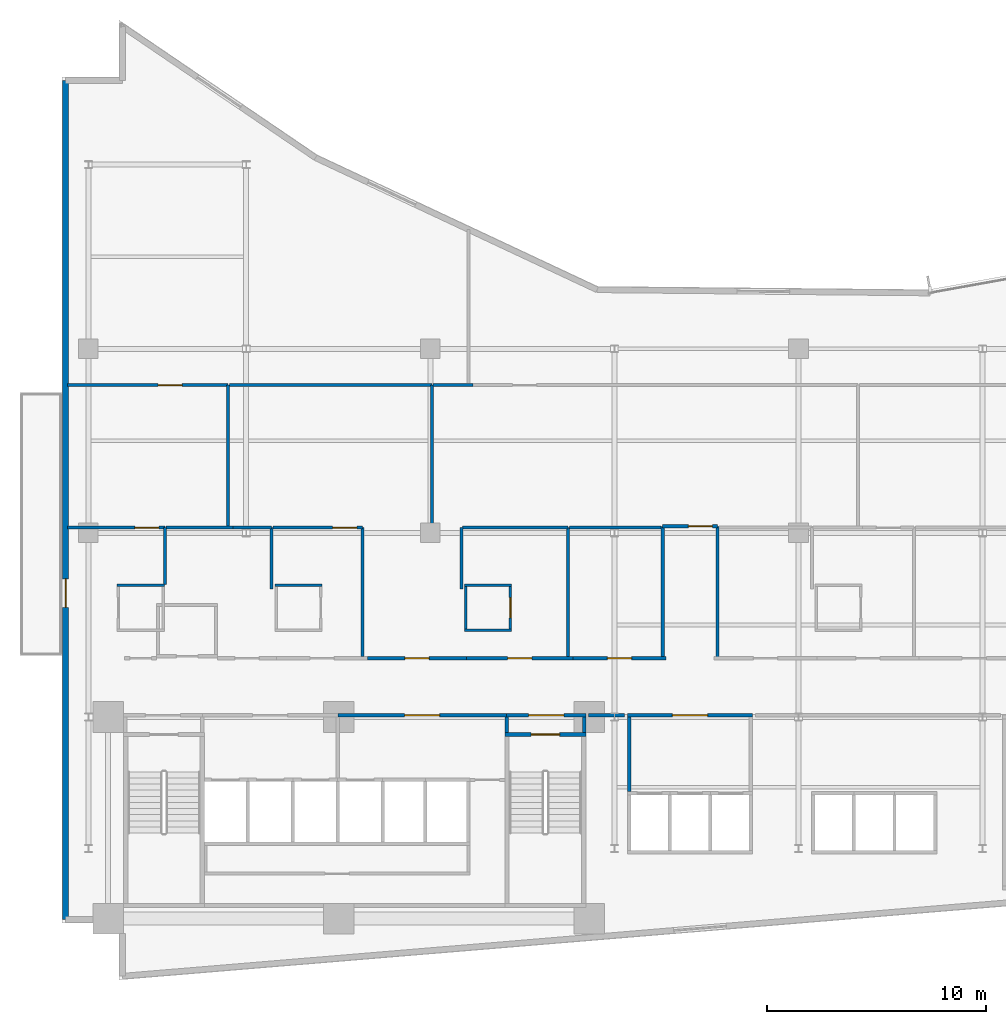
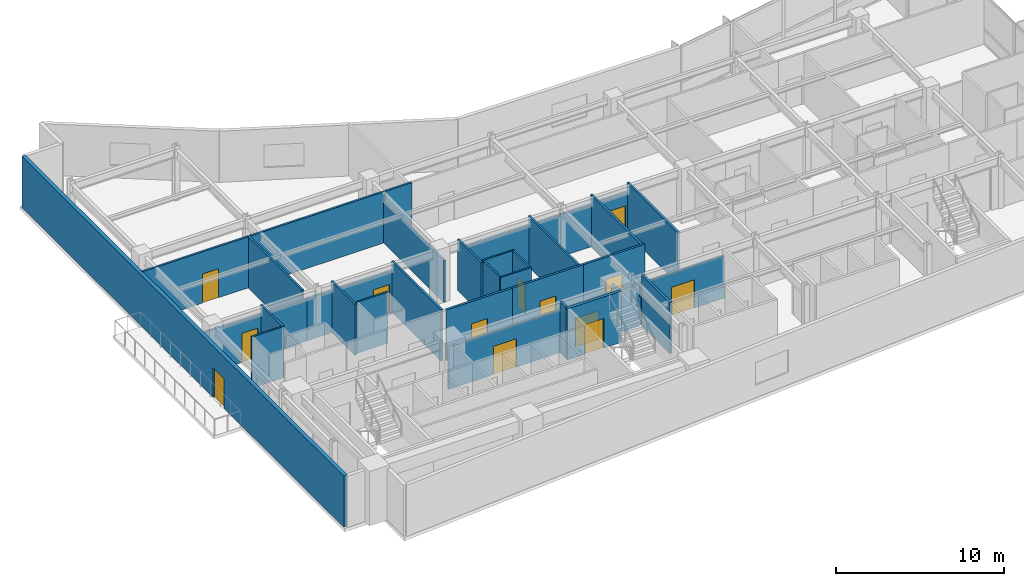
# One storey, part 13 of 20: 37 walls, 13 doors, 13 openings.
"""IFC4 building model written with IfcOpenShell, lengths in metres."""

from ifc_helpers import new_model, si_unit, direction, frame, frame_2d, origin, place, context, subcontext, project, spatial, rectangle, extrude, material, layer, layer_set, type_object, element, fill, save


model = new_model("IFC4")

# Units and contexts
model_context = context("Model", 3, precision=1e-05, world=origin(), true_north=direction((0.0, 1.0)))
body_context = subcontext(model_context, "Body", "Model", "MODEL_VIEW")
ifc_project = project(units=[si_unit("LENGTHUNIT", "METRE"), si_unit("AREAUNIT", "SQUARE_METRE"), si_unit("VOLUMEUNIT", "CUBIC_METRE"), si_unit("PLANEANGLEUNIT", "RADIAN"), si_unit("MASSUNIT", "GRAM", prefix="KILO")], contexts=[model_context])

# Site, building, storey
site_placement = place(None, origin())
site = spatial("IfcSite", under=ifc_project, at=site_placement, CompositionType="ELEMENT")
building_placement = place(site_placement, origin())
building = spatial("IfcBuilding", under=site, at=building_placement, Name="Varnakote Quay Hospital", CompositionType="ELEMENT")
storey_placement = place(building_placement, frame((0.0, 0.0, 26.449951171875)))
storey = spatial("IfcBuildingStorey", under=building, at=storey_placement, Name="L06", CompositionType="ELEMENT", Elevation=26.449951171875)

# Wall, opening, door
ifc_material_1 = material(Name="Fire-rated acoustic gypsum stud wall", Category="gypsum")
ifc_layer_1 = layer(ifc_material_1, 0.159912109375)
ifc_layer_set_1 = layer_set([ifc_layer_1], Name="Fire-rated acoustic gypsum stud wall")
wall_type_1 = type_object("IfcWallType", Name="WL-COMP-160", PredefinedType="PARTITIONING", material=ifc_layer_set_1)
wall_1_placement = place(storey_placement, frame((12.580078125, 12.080078125, 0.0), z_axis=(0.0, 0.0, 1.0), x_axis=(1.0, 0.0, 0.0)))
wall_1 = element("IfcWall", 1, at=wall_1_placement, inside=storey, type_object=wall_type_1, Name="L06 Clinical Bed Lift Lobby Wall", PredefinedType="PARTITIONING", context=body_context, shape_type="SweptSolid", body=[
    extrude(rectangle(XDim=7.699951171875, YDim=0.159912109375, at=frame_2d((3.85009765625, 0.0))), origin(), (0.0, 0.0, 1.0), 3.072998046875),
])
opening_1_placement = place(wall_1_placement, frame((3.050048828125, 0.0, 0.0)))
opening_1 = element("IfcOpeningElement", 2, at=opening_1_placement, cuts=wall_1, Name="Opening D-SVL-L06", PredefinedType="OPENING", context=body_context, shape_type="SweptSolid", body=[
    extrude(rectangle(XDim=1.60009765625, YDim=2.050048828125, at=frame_2d((0.800048828125, 1.02490234375))), frame((0.0, 0.08984375, 0.0), z_axis=(0.0, -1.0, 0.0), x_axis=(1.0, 0.0, 0.0)), (0.0, 0.0, 1.0), 0.179931640625),
])
ifc_material_2 = material(Name="Fire-rated double smoke lobby door")
door_type_1 = type_object("IfcDoorType", Name="DR-LOBBY-FD60S-1600x2150", OperationType="NOTDEFINED", PredefinedType="DOOR", material=ifc_material_2)
door_1_placement = place(opening_1_placement, origin())
door_1 = element("IfcDoor", 3, at=door_1_placement, inside=storey, type_object=door_type_1, Name="L06 Clinical Core Smoke Vestibule Door", OperationType="DOUBLE_DOOR_SINGLE_SWING", OverallHeight=2.050048828125, OverallWidth=1.60009765625, PredefinedType="DOOR", context=body_context, shape_type="SweptSolid", body=[
    extrude(rectangle(XDim=1.60009765625, YDim=2.050048828125, at=frame_2d((0.800048828125, 1.02490234375))), frame((0.0, 0.02490234375, 0.0), z_axis=(0.0, -1.0, 0.0), x_axis=(1.0, 0.0, 0.0)), (0.0, 0.0, 1.0), 0.050048828125),
])
fill(opening_1, door_1)

# Wall
wall_2_placement = place(storey_placement, frame((20.280029296875, 11.300048828125, 0.0), z_axis=(0.0, 0.0, 1.0), x_axis=(0.0, 1.0, 0.0)))
element("IfcWall", 4, at=wall_2_placement, inside=storey, type_object=wall_type_1, Name="L06 East Stair Vestibule Divider Wall", PredefinedType="PARTITIONING", context=body_context, shape_type="SweptSolid", body=[
    extrude(rectangle(XDim=0.699951171875, YDim=0.159912109375, at=frame_2d((0.35009765625, 0.0))), origin(), (0.0, 0.0, 1.0), 3.7099609375),
])

# Wall, opening, door
wall_3_placement = place(storey_placement, frame((20.280029296875, 12.080078125, 0.0), z_axis=(0.0, 0.0, 1.0), x_axis=(1.0, 0.0, 0.0)))
wall_3 = element("IfcWall", 5, at=wall_3_placement, inside=storey, type_object=wall_type_1, Name="L06 East Stair Vestibule Smoke Wall", PredefinedType="PARTITIONING", context=body_context, shape_type="SweptSolid", body=[
    extrude(rectangle(XDim=3.619873046875, YDim=0.159912109375, at=frame_2d((1.81005859375, 0.0))), origin(), (0.0, 0.0, 1.0), 3.072998046875),
])
opening_2_placement = place(wall_3_placement, frame((1.010009765625, 0.0, 0.0)))
opening_2 = element("IfcOpeningElement", 6, at=opening_2_placement, cuts=wall_3, Name="Opening D-ST2L-L06", PredefinedType="OPENING", context=body_context, shape_type="SweptSolid", body=[
    extrude(rectangle(XDim=1.60009765625, YDim=2.050048828125, at=frame_2d((0.800048828125, 1.02490234375))), frame((0.0, 0.08984375, 0.0), z_axis=(0.0, -1.0, 0.0), x_axis=(1.0, 0.0, 0.0)), (0.0, 0.0, 1.0), 0.179931640625),
])
door_2_placement = place(opening_2_placement, origin())
door_2 = element("IfcDoor", 7, at=door_2_placement, inside=storey, type_object=door_type_1, Name="L06 East Stair Vestibule Smoke Door", OperationType="DOUBLE_DOOR_SINGLE_SWING", OverallHeight=2.050048828125, OverallWidth=1.60009765625, PredefinedType="DOOR", context=body_context, shape_type="SweptSolid", body=[
    extrude(rectangle(XDim=1.60009765625, YDim=2.050048828125, at=frame_2d((0.800048828125, 1.02490234375))), frame((0.0, 0.02490234375, 0.0), z_axis=(0.0, -1.0, 0.0), x_axis=(1.0, 0.0, 0.0)), (0.0, 0.0, 1.0), 0.050048828125),
])
fill(opening_2, door_2)

# Walls
wall_4_placement = place(storey_placement, frame((23.820068359375, 11.300048828125, 0.0), z_axis=(0.0, 0.0, 1.0), x_axis=(0.0, 1.0, 0.0)))
element("IfcWall", 8, at=wall_4_placement, inside=storey, type_object=wall_type_1, Name="L06 East Stair Vestibule East Wall", PredefinedType="PARTITIONING", context=body_context, shape_type="SweptSolid", body=[
    extrude(rectangle(XDim=0.699951171875, YDim=0.159912109375, at=frame_2d((0.35009765625, 0.0))), origin(), (0.0, 0.0, 1.0), 3.7099609375),
])
wall_5_placement = place(storey_placement, frame((25.8701171875, 8.610107421875, 0.0), z_axis=(0.0, 0.0, 1.0), x_axis=(0.0, 1.0, 0.0)))
element("IfcWall", 9, at=wall_5_placement, inside=storey, type_object=wall_type_1, Name="L06 Low-Rise Lift Lobby West Wall", PredefinedType="PARTITIONING", context=body_context, shape_type="SweptSolid", body=[
    extrude(rectangle(XDim=3.389892578125, YDim=0.159912109375, at=frame_2d((1.69482421875, 0.0))), origin(), (0.0, 0.0, 1.0), 3.7099609375),
])

# Wall, opening, door
wall_6_placement = place(storey_placement, frame((25.7900390625, 12.080078125, 0.0), z_axis=(0.0, 0.0, 1.0), x_axis=(1.0, 0.0, 0.0)))
wall_6 = element("IfcWall", 10, at=wall_6_placement, inside=storey, type_object=wall_type_1, Name="L06 Low-Rise Lift Lobby North Wall", PredefinedType="PARTITIONING", context=body_context, shape_type="SweptSolid", body=[
    extrude(rectangle(XDim=5.719970703125, YDim=0.159912109375, at=frame_2d((2.85986328125, 0.0))), origin(), (0.0, 0.0, 1.0), 3.072998046875),
])
opening_3_placement = place(wall_6_placement, frame((2.06005859375, 0.0, 0.0)))
opening_3 = element("IfcOpeningElement", 11, at=opening_3_placement, cuts=wall_6, Name="Opening D-PLL-L06", PredefinedType="OPENING", context=body_context, shape_type="SweptSolid", body=[
    extrude(rectangle(XDim=1.60009765625, YDim=2.050048828125, at=frame_2d((0.800048828125, 1.02490234375))), frame((0.0, 0.08984375, 0.0), z_axis=(0.0, -1.0, 0.0), x_axis=(1.0, 0.0, 0.0)), (0.0, 0.0, 1.0), 0.179931640625),
])
door_3_placement = place(opening_3_placement, origin())
door_3 = element("IfcDoor", 12, at=door_3_placement, inside=storey, type_object=door_type_1, Name="L06 Low-Rise Passenger Concourse Vestibule Door", OperationType="DOUBLE_DOOR_SINGLE_SWING", OverallHeight=2.050048828125, OverallWidth=1.60009765625, PredefinedType="DOOR", context=body_context, shape_type="SweptSolid", body=[
    extrude(rectangle(XDim=1.60009765625, YDim=2.050048828125, at=frame_2d((0.800048828125, 1.02490234375))), frame((0.0, 0.02490234375, 0.0), z_axis=(0.0, -1.0, 0.0), x_axis=(1.0, 0.0, 0.0)), (0.0, 0.0, 1.0), 0.050048828125),
])
fill(opening_3, door_3)

# Walls
wall_7_placement = place(storey_placement, frame((24.02001953125, 12.080078125, 0.0), z_axis=(0.0, 0.0, 1.0), x_axis=(1.0, 0.0, 0.0)))
element("IfcWall", 13, at=wall_7_placement, inside=storey, type_object=wall_type_1, Name="L06 Corridor South Gap Wall", PredefinedType="PARTITIONING", context=body_context, shape_type="SweptSolid", body=[
    extrude(rectangle(XDim=1.64990234375, YDim=0.159912109375, at=frame_2d((0.824951171875, 0.0))), origin(), (0.0, 0.0, 1.0), 3.072998046875),
])
ifc_material_3 = material(Name="Moisture-resistant bathroom partition", Category="gypsum")
ifc_layer_2 = layer(ifc_material_3, 0.114990234375)
ifc_layer_set_2 = layer_set([ifc_layer_2], Name="Moisture-resistant bathroom partition")
wall_type_2 = type_object("IfcWallType", Name="WL-ENS-115", PredefinedType="PARTITIONING", material=ifc_layer_set_2)
wall_8_placement = place(storey_placement, frame((2.514892578125, 18.017578125, 0.0), z_axis=(0.0, 0.0, 1.0), x_axis=(1.0, 0.0, 0.0)))
element("IfcWall", 14, at=wall_8_placement, inside=storey, type_object=wall_type_2, Name="L06 Inpatient En-Suite Bathroom 01 N Wall", PredefinedType="PARTITIONING", context=body_context, shape_type="SweptSolid", body=[
    extrude(rectangle(XDim=2.150146484375, YDim=0.114990234375, at=frame_2d((1.0751953125, 0.0))), origin(), (0.0, 0.0, 1.0), 3.7099609375),
])
for number, where, z_axis, x_axis, name in (
    (15, (9.705078125, 18.017578125, 0.0), (0.0, 0.0, 1.0), (1.0, 0.0, 0.0), "L06 Inpatient En-Suite Bathroom 02 N Wall"),
    (16, (18.364990234375, 15.952392578125, 0.0), (0.0, 0.0, 1.0), (1.0, 0.0, 0.0), "L06 Inpatient En-Suite Bathroom 03 S Wall"),
    (17, (18.364990234375, 18.017578125, 0.0), (0.0, 0.0, 1.0), (1.0, 0.0, 0.0), "L06 Inpatient En-Suite Bathroom 03 N Wall"),
):
    element("IfcWall", number, at=place(storey_placement, frame(where, z_axis=z_axis, x_axis=x_axis)), inside=storey, type_object=wall_type_2, Name=name, PredefinedType="PARTITIONING", context=body_context, shape_type="SweptSolid", body=[
        extrude(rectangle(XDim=2.14990234375, YDim=0.114990234375, at=frame_2d((1.074951171875, 0.0))), origin(), (0.0, 0.0, 1.0), 3.7099609375),
    ])
wall_9_placement = place(storey_placement, frame((18.422607421875, 16.010009765625, 0.0), z_axis=(0.0, 0.0, 1.0), x_axis=(0.0, 1.0, 0.0)))
element("IfcWall", 18, at=wall_9_placement, inside=storey, type_object=wall_type_2, Name="L06 Inpatient En-Suite Bathroom 03 W Wall", PredefinedType="PARTITIONING", context=body_context, shape_type="SweptSolid", body=[
    extrude(rectangle(XDim=1.949951171875, YDim=0.114990234375, at=frame_2d((0.97509765625, 0.0))), origin(), (0.0, 0.0, 1.0), 3.7099609375),
])

# Wall, opening, door
wall_10_placement = place(storey_placement, frame((20.45751953125, 16.010009765625, 0.0), z_axis=(0.0, 0.0, 1.0), x_axis=(0.0, 1.0, 0.0)))
wall_10 = element("IfcWall", 19, at=wall_10_placement, inside=storey, type_object=wall_type_2, Name="L06 Inpatient En-Suite Bathroom 03 E Wall", PredefinedType="PARTITIONING", context=body_context, shape_type="SweptSolid", body=[
    extrude(rectangle(XDim=1.949951171875, YDim=0.114990234375, at=frame_2d((0.97509765625, 0.0))), origin(), (0.0, 0.0, 1.0), 3.7099609375),
])
opening_4_placement = place(wall_10_placement, frame((0.514892578125, 0.0, 0.0)))
opening_4 = element("IfcOpeningElement", 20, at=opening_4_placement, cuts=wall_10, Name="Opening D-L06-ENS03", PredefinedType="OPENING", context=body_context, shape_type="SweptSolid", body=[
    extrude(rectangle(XDim=0.919921875, YDim=2.10009765625, at=frame_2d((0.4599609375, 1.050048828125))), frame((0.0, 0.0673828125, 0.0), z_axis=(0.0, -1.0, 0.0), x_axis=(1.0, 0.0, 0.0)), (0.0, 0.0, 1.0), 0.135009765625),
])
ifc_material_4 = material(Name="Moisture-sealed en-suite bathroom door")
door_type_2 = type_object("IfcDoorType", Name="DR-ENS-920x2100", OperationType="NOTDEFINED", PredefinedType="DOOR", material=ifc_material_4)
door_4_placement = place(opening_4_placement, origin())
door_4 = element("IfcDoor", 21, at=door_4_placement, inside=storey, type_object=door_type_2, Name="L06 Inpatient En-Suite Bathroom 03 Door", OperationType="SINGLE_SWING_RIGHT", OverallHeight=2.10009765625, OverallWidth=0.919921875, PredefinedType="DOOR", context=body_context, shape_type="SweptSolid", body=[
    extrude(rectangle(XDim=0.919921875, YDim=2.10009765625, at=frame_2d((0.4599609375, 1.050048828125))), frame((0.0, 0.02490234375, 0.0), z_axis=(0.0, -1.0, 0.0), x_axis=(1.0, 0.0, 0.0)), (0.0, 0.0, 1.0), 0.050048828125),
])
fill(opening_4, door_4)

ifc_material_5 = material(Name="Precast concrete N50 (f'c 50 MPa)", Category="concrete")
ifc_layer_3 = layer(ifc_material_5, 0.260009765625)
ifc_layer_set_3 = layer_set([ifc_layer_3], Name="Precast concrete N50 (f'c 50 MPa)")
wall_type_3 = type_object("IfcWallType", Name="WL-EXT-BRICK-260", PredefinedType="STANDARD", material=ifc_layer_set_3)
wall_11_placement = place(storey_placement, frame((0.159912109375, 41.0400390625, 0.0), z_axis=(0.0, 0.0, 1.0), x_axis=(0.0, -1.0, 0.0)))
wall_11 = element("IfcWall", 22, at=wall_11_placement, inside=storey, type_object=wall_type_3, Name="L06 Healing Terrace Portal Brick Wall", PredefinedType="STANDARD", context=body_context, shape_type="SweptSolid", body=[
    extrude(rectangle(XDim=38.280029296875, YDim=0.260009765625, at=frame_2d((19.14013671875, 0.0))), origin(), (0.0, 0.0, 1.0), 3.7099609375),
])
opening_5_placement = place(wall_11_placement, frame((22.743408203125, 0.0, 0.0)))
opening_5 = element("IfcOpeningElement", 23, at=opening_5_placement, cuts=wall_11, Name="Opening DT-L06", PredefinedType="OPENING", context=body_context, shape_type="SweptSolid", body=[
    extrude(rectangle(XDim=1.300048828125, YDim=2.14990234375, at=frame_2d((0.64990234375, 1.074951171875))), frame((0.0, 0.139892578125, 0.0), z_axis=(0.0, -1.0, 0.0), x_axis=(1.0, 0.0, 0.0)), (0.0, 0.0, 1.0), 0.280029296875),
])
ifc_material_6 = material(Name="Anodised aluminium glazed terrace door", Category="aluminium")
door_type_3 = type_object("IfcDoorType", Name="DR-EXT-TERR-1300x2150", OperationType="NOTDEFINED", PredefinedType="DOOR", material=ifc_material_6)
door_5_placement = place(opening_5_placement, origin())
door_5 = element("IfcDoor", 24, at=door_5_placement, inside=storey, type_object=door_type_3, Name="L06 Waterfront Healing Terrace Door", OperationType="SINGLE_SWING_LEFT", OverallHeight=2.14990234375, OverallWidth=1.300048828125, PredefinedType="DOOR", context=body_context, shape_type="SweptSolid", body=[
    extrude(rectangle(XDim=1.300048828125, YDim=2.14990234375, at=frame_2d((0.64990234375, 1.074951171875))), frame((0.0, 0.02490234375, 0.0), z_axis=(0.0, -1.0, 0.0), x_axis=(1.0, 0.0, 0.0)), (0.0, 0.0, 1.0), 0.050048828125),
])
fill(opening_5, door_5)

ifc_material_7 = material(Name="Concrete N50 (f'c 50 MPa)", Category="concrete")
ifc_layer_4 = layer(ifc_material_7, 0.199951171875)
ifc_layer_set_4 = layer_set([ifc_layer_4], Name="Concrete N50 (f'c 50 MPa)")
wall_type_4 = type_object("IfcWallType", Name="WL-SHAFT-N50-200", PredefinedType="SHEAR", material=ifc_layer_set_4)
wall_12_placement = place(storey_placement, frame((20.199951171875, 11.199951171875, 0.0), z_axis=(0.0, 0.0, 1.0), x_axis=(1.0, 0.0, 0.0)))
wall_12 = element("IfcWall", 25, at=wall_12_placement, inside=storey, type_object=wall_type_4, Name="L06 Stair ST2 Exit Wall", PredefinedType="SHEAR", context=body_context, shape_type="SweptSolid", body=[
    extrude(rectangle(XDim=3.699951171875, YDim=0.199951171875, at=frame_2d((1.85009765625, 0.0))), origin(), (0.0, 0.0, 1.0), 3.7099609375),
])
opening_6_placement = place(wall_12_placement, frame((1.199951171875, 0.0, 0.0)))
opening_6 = element("IfcOpeningElement", 26, at=opening_6_placement, cuts=wall_12, Name="Opening D-ST2-L06", PredefinedType="OPENING", context=body_context, shape_type="SweptSolid", body=[
    extrude(rectangle(XDim=1.300048828125, YDim=2.14990234375, at=frame_2d((0.64990234375, 1.074951171875))), frame((0.0, 0.10986328125, 0.0), z_axis=(0.0, -1.0, 0.0), x_axis=(1.0, 0.0, 0.0)), (0.0, 0.0, 1.0), 0.219970703125),
])
ifc_material_8 = material(Name="Fire-rated ceramic-glazed timber exit door", Category="wood")
door_type_4 = type_object("IfcDoorType", Name="DR-STAIR-FD60S-1300x2150", OperationType="NOTDEFINED", PredefinedType="DOOR", material=ifc_material_8)
door_6_placement = place(opening_6_placement, origin())
door_6 = element("IfcDoor", 27, at=door_6_placement, inside=storey, type_object=door_type_4, Name="L06 Stair ST2 Fire Exit Door", OperationType="SINGLE_SWING_LEFT", OverallHeight=2.14990234375, OverallWidth=1.300048828125, PredefinedType="DOOR", context=body_context, shape_type="SweptSolid", body=[
    extrude(rectangle(XDim=1.300048828125, YDim=2.14990234375, at=frame_2d((0.64990234375, 1.074951171875))), frame((0.0, 0.02490234375, 0.0), z_axis=(0.0, -1.0, 0.0), x_axis=(1.0, 0.0, 0.0)), (0.0, 0.0, 1.0), 0.050048828125),
])
fill(opening_6, door_6)

# Wall
ifc_material_9 = material(Name="Smoke-proof clinical partition", Category="gypsum")
ifc_layer_5 = layer(ifc_material_9, 0.135009765625)
ifc_layer_set_5 = layer_set([ifc_layer_5], Name="Smoke-proof clinical partition")
wall_type_5 = type_object("IfcWallType", Name="WL-SMOKE-135", PredefinedType="PARTITIONING", material=ifc_layer_set_5)
wall_13_placement = place(storey_placement, frame((4.68994140625, 18.0400390625, 0.0), z_axis=(0.0, 0.0, 1.0), x_axis=(0.0, 1.0, 0.0)))
element("IfcWall", 28, at=wall_13_placement, inside=storey, type_object=wall_type_5, Name="L06 Clinical Interior Partition", PredefinedType="PARTITIONING", context=body_context, shape_type="SweptSolid", body=[
    extrude(rectangle(XDim=2.599853515625, YDim=0.135009765625, at=frame_2d((1.2998046875, 0.0))), origin(), (0.0, 0.0, 1.0), 3.7099609375),
])

# Wall, opening, door
wall_14_placement = place(storey_placement, frame((4.68994140625, 20.639892578125, 0.0), z_axis=(0.0, 0.0, 1.0), x_axis=(-1.0, 0.0, 0.0)))
wall_14 = element("IfcWall", 29, at=wall_14_placement, inside=storey, type_object=wall_type_5, Name="L06 Clinical Interior Partition", PredefinedType="PARTITIONING", context=body_context, shape_type="SweptSolid", body=[
    extrude(rectangle(XDim=4.449951171875, YDim=0.135009765625, at=frame_2d((2.22509765625, 0.0))), origin(), (0.0, 0.0, 1.0), 3.072998046875),
])
opening_7_placement = place(wall_14_placement, frame((0.273681640625, 0.0, 0.0)))
opening_7 = element("IfcOpeningElement", 30, at=opening_7_placement, cuts=wall_14, Name="Opening D-L06-DLNG", PredefinedType="OPENING", context=body_context, shape_type="SweptSolid", body=[
    extrude(rectangle(XDim=1.10009765625, YDim=2.10009765625, at=frame_2d((0.550048828125, 1.050048828125))), frame((0.0, 0.077392578125, 0.0), z_axis=(0.0, -1.0, 0.0), x_axis=(1.0, 0.0, 0.0)), (0.0, 0.0, 1.0), 0.155029296875),
])
ifc_material_10 = material(Name="Acoustic timber clinical consult door", Category="wood")
door_type_5 = type_object("IfcDoorType", Name="DR-CLIN-FD30S-1100x2100", OperationType="NOTDEFINED", PredefinedType="DOOR", material=ifc_material_10)
door_7_placement = place(opening_7_placement, origin())
door_7 = element("IfcDoor", 31, at=door_7_placement, inside=storey, type_object=door_type_5, Name="L06 Waterfront Patient & Family Dayroom Door", OperationType="SINGLE_SWING_RIGHT", OverallHeight=2.10009765625, OverallWidth=1.10009765625, PredefinedType="DOOR", context=body_context, shape_type="SweptSolid", body=[
    extrude(rectangle(XDim=1.10009765625, YDim=2.10009765625, at=frame_2d((0.550048828125, 1.050048828125))), frame((0.0, 0.02490234375, 0.0), z_axis=(0.0, -1.0, 0.0), x_axis=(1.0, 0.0, 0.0)), (0.0, 0.0, 1.0), 0.050048828125),
])
fill(opening_7, door_7)

# Walls
wall_15_placement = place(storey_placement, frame((9.56005859375, 17.83251953125, 0.0), z_axis=(0.0, 0.0, 1.0), x_axis=(0.0, 1.0, 0.0)))
element("IfcWall", 32, at=wall_15_placement, inside=storey, type_object=wall_type_5, Name="L06 Clinical Interior Partition", PredefinedType="PARTITIONING", context=body_context, shape_type="SweptSolid", body=[
    extrude(rectangle(XDim=2.807373046875, YDim=0.135009765625, at=frame_2d((1.40380859375, 0.0))), origin(), (0.0, 0.0, 1.0), 3.7099609375),
])
wall_16_placement = place(storey_placement, frame((7.78759765625, 20.639892578125, 0.0), z_axis=(0.0, 0.0, 1.0), x_axis=(-1.0, 0.0, 0.0)))
element("IfcWall", 33, at=wall_16_placement, inside=storey, type_object=wall_type_5, Name="L06 Clinical Interior Partition", PredefinedType="PARTITIONING", context=body_context, shape_type="SweptSolid", body=[
    extrude(rectangle(XDim=3.0400390625, YDim=0.135009765625, at=frame_2d((1.52001953125, 0.0))), origin(), (0.0, 0.0, 1.0), 3.072998046875),
])
wall_17_placement = place(storey_placement, frame((9.56005859375, 20.639892578125, 0.0), z_axis=(0.0, 0.0, 1.0), x_axis=(-1.0, 0.0, 0.0)))
element("IfcWall", 34, at=wall_17_placement, inside=storey, type_object=wall_type_5, Name="L06 Clinical Interior Partition", PredefinedType="PARTITIONING", context=body_context, shape_type="SweptSolid", body=[
    extrude(rectangle(XDim=1.7705078125, YDim=0.135009765625, at=frame_2d((0.88525390625, 0.0))), origin(), (0.0, 0.0, 1.0), 3.072998046875),
])
wall_18_placement = place(storey_placement, frame((13.7099609375, 14.760009765625, 0.0), z_axis=(0.0, 0.0, 1.0), x_axis=(0.0, 1.0, 0.0)))
element("IfcWall", 35, at=wall_18_placement, inside=storey, type_object=wall_type_5, Name="L06 Clinical Interior Partition", PredefinedType="PARTITIONING", context=body_context, shape_type="SweptSolid", body=[
    extrude(rectangle(XDim=5.8798828125, YDim=0.135009765625, at=frame_2d((2.93994140625, 0.0))), origin(), (0.0, 0.0, 1.0), 3.7099609375),
])

# Wall, opening, door
wall_19_placement = place(storey_placement, frame((13.7099609375, 20.639892578125, 0.0), z_axis=(0.0, 0.0, 1.0), x_axis=(-1.0, 0.0, 0.0)))
wall_19 = element("IfcWall", 36, at=wall_19_placement, inside=storey, type_object=wall_type_5, Name="L06 Clinical Interior Partition", PredefinedType="PARTITIONING", context=body_context, shape_type="SweptSolid", body=[
    extrude(rectangle(XDim=4.092529296875, YDim=0.135009765625, at=frame_2d((2.04638671875, 0.0))), origin(), (0.0, 0.0, 1.0), 3.072998046875),
])
opening_8_placement = place(wall_19_placement, frame((0.264892578125, 0.0, 0.0)))
opening_8 = element("IfcOpeningElement", 37, at=opening_8_placement, cuts=wall_19, Name="Opening D-L06-WPNT", PredefinedType="OPENING", context=body_context, shape_type="SweptSolid", body=[
    extrude(rectangle(XDim=1.10009765625, YDim=2.10009765625, at=frame_2d((0.550048828125, 1.050048828125))), frame((0.0, 0.077392578125, 0.0), z_axis=(0.0, -1.0, 0.0), x_axis=(1.0, 0.0, 0.0)), (0.0, 0.0, 1.0), 0.155029296875),
])
door_8_placement = place(opening_8_placement, origin())
door_8 = element("IfcDoor", 38, at=door_8_placement, inside=storey, type_object=door_type_5, Name="L06 Ward Clinical Nutrition Pantry Door", OperationType="SINGLE_SWING_LEFT", OverallHeight=2.10009765625, OverallWidth=1.10009765625, PredefinedType="DOOR", context=body_context, shape_type="SweptSolid", body=[
    extrude(rectangle(XDim=1.10009765625, YDim=2.10009765625, at=frame_2d((0.550048828125, 1.050048828125))), frame((0.0, 0.02490234375, 0.0), z_axis=(0.0, -1.0, 0.0), x_axis=(1.0, 0.0, 0.0)), (0.0, 0.0, 1.0), 0.050048828125),
])
fill(opening_8, door_8)

# Walls
wall_20_placement = place(storey_placement, frame((18.219970703125, 17.83251953125, 0.0), z_axis=(0.0, 0.0, 1.0), x_axis=(0.0, 1.0, 0.0)))
element("IfcWall", 39, at=wall_20_placement, inside=storey, type_object=wall_type_5, Name="L06 Clinical Interior Partition", PredefinedType="PARTITIONING", context=body_context, shape_type="SweptSolid", body=[
    extrude(rectangle(XDim=2.807373046875, YDim=0.135009765625, at=frame_2d((1.40380859375, 0.0))), origin(), (0.0, 0.0, 1.0), 3.7099609375),
])
wall_21_placement = place(storey_placement, frame((23.090087890625, 14.760009765625, 0.0), z_axis=(0.0, 0.0, 1.0), x_axis=(0.0, 1.0, 0.0)))
element("IfcWall", 40, at=wall_21_placement, inside=storey, type_object=wall_type_5, Name="L06 Clinical Interior Partition", PredefinedType="PARTITIONING", context=body_context, shape_type="SweptSolid", body=[
    extrude(rectangle(XDim=5.8798828125, YDim=0.135009765625, at=frame_2d((2.93994140625, 0.0))), origin(), (0.0, 0.0, 1.0), 3.7099609375),
])
wall_22_placement = place(storey_placement, frame((23.090087890625, 20.639892578125, 0.0), z_axis=(0.0, 0.0, 1.0), x_axis=(-1.0, 0.0, 0.0)))
element("IfcWall", 41, at=wall_22_placement, inside=storey, type_object=wall_type_5, Name="L06 Clinical Interior Partition", PredefinedType="PARTITIONING", context=body_context, shape_type="SweptSolid", body=[
    extrude(rectangle(XDim=4.8125, YDim=0.135009765625, at=frame_2d((2.40625, 0.0))), origin(), (0.0, 0.0, 1.0), 3.072998046875),
])
wall_23_placement = place(storey_placement, frame((27.320068359375, 20.639892578125, 0.0), z_axis=(0.0, 0.0, 1.0), x_axis=(-1.0, 0.0, 0.0)))
element("IfcWall", 42, at=wall_23_placement, inside=storey, type_object=wall_type_5, Name="L06 Clinical Interior Partition", PredefinedType="PARTITIONING", context=body_context, shape_type="SweptSolid", body=[
    extrude(rectangle(XDim=4.172607421875, YDim=0.135009765625, at=frame_2d((2.08642578125, 0.0))), origin(), (0.0, 0.0, 1.0), 3.072998046875),
])
wall_24_placement = place(storey_placement, frame((7.580078125, 20.697509765625, 0.0), z_axis=(0.0, 0.0, 1.0), x_axis=(0.0, 1.0, 0.0)))
element("IfcWall", 43, at=wall_24_placement, inside=storey, type_object=wall_type_5, Name="L06 Clinical Interior Partition", PredefinedType="PARTITIONING", context=body_context, shape_type="SweptSolid", body=[
    extrude(rectangle(XDim=6.4423828125, YDim=0.135009765625, at=frame_2d((3.22119140625, 0.0))), origin(), (0.0, 0.0, 1.0), 3.7099609375),
])

# Wall, opening, door
wall_25_placement = place(storey_placement, frame((7.580078125, 27.139892578125, 0.0), z_axis=(0.0, 0.0, 1.0), x_axis=(-1.0, 0.0, 0.0)))
wall_25 = element("IfcWall", 44, at=wall_25_placement, inside=storey, type_object=wall_type_5, Name="L06 Clinical Interior Partition", PredefinedType="PARTITIONING", context=body_context, shape_type="SweptSolid", body=[
    extrude(rectangle(XDim=7.340087890625, YDim=0.135009765625, at=frame_2d((3.669921875, 0.0))), origin(), (0.0, 0.0, 1.0), 3.7099609375),
])
opening_9_placement = place(wall_25_placement, frame((2.097900390625, 0.0, 0.0)))
opening_9 = element("IfcOpeningElement", 45, at=opening_9_placement, cuts=wall_25, Name="Opening D-L06-MD10", PredefinedType="OPENING", context=body_context, shape_type="SweptSolid", body=[
    extrude(rectangle(XDim=1.10009765625, YDim=2.10009765625, at=frame_2d((0.550048828125, 1.050048828125))), frame((0.0, 0.077392578125, 0.0), z_axis=(0.0, -1.0, 0.0), x_axis=(1.0, 0.0, 0.0)), (0.0, 0.0, 1.0), 0.155029296875),
])
door_9_placement = place(opening_9_placement, origin())
door_9 = element("IfcDoor", 46, at=door_9_placement, inside=storey, type_object=door_type_5, Name="L06 Allied Health Assessment Office Door", OperationType="SINGLE_SWING_RIGHT", OverallHeight=2.10009765625, OverallWidth=1.10009765625, PredefinedType="DOOR", context=body_context, shape_type="SweptSolid", body=[
    extrude(rectangle(XDim=1.10009765625, YDim=2.10009765625, at=frame_2d((0.550048828125, 1.050048828125))), frame((0.0, 0.02490234375, 0.0), z_axis=(0.0, -1.0, 0.0), x_axis=(1.0, 0.0, 0.0)), (0.0, 0.0, 1.0), 0.050048828125),
])
fill(opening_9, door_9)

# Walls
wall_26_placement = place(storey_placement, frame((16.8701171875, 19.949951171875, 0.0), z_axis=(0.0, 0.0, 1.0), x_axis=(0.0, 1.0, 0.0)))
element("IfcWall", 47, at=wall_26_placement, inside=storey, type_object=wall_type_5, Name="L06 Clinical Interior Partition", PredefinedType="PARTITIONING", context=body_context, shape_type="SweptSolid", body=[
    extrude(rectangle(XDim=7.18994140625, YDim=0.135009765625, at=frame_2d((3.594970703125, 0.0))), origin(), (0.0, 0.0, 1.0), 3.072998046875),
])
wall_27_placement = place(storey_placement, frame((16.8701171875, 27.139892578125, 0.0), z_axis=(0.0, 0.0, 1.0), x_axis=(-1.0, 0.0, 0.0)))
element("IfcWall", 48, at=wall_27_placement, inside=storey, type_object=wall_type_5, Name="L06 Clinical Interior Partition", PredefinedType="PARTITIONING", context=body_context, shape_type="SweptSolid", body=[
    extrude(rectangle(XDim=9.232666015625, YDim=0.135009765625, at=frame_2d((4.6162109375, 0.0))), origin(), (0.0, 0.0, 1.0), 3.7099609375),
])
wall_28_placement = place(storey_placement, frame((18.74755859375, 27.139892578125, 0.0), z_axis=(0.0, 0.0, 1.0), x_axis=(-1.0, 0.0, 0.0)))
element("IfcWall", 49, at=wall_28_placement, inside=storey, type_object=wall_type_5, Name="L06 Clinical Interior Partition", PredefinedType="PARTITIONING", context=body_context, shape_type="SweptSolid", body=[
    extrude(rectangle(XDim=1.820068359375, YDim=0.135009765625, at=frame_2d((0.91015625, 0.0))), origin(), (0.0, 0.0, 1.0), 3.7099609375),
])

# Wall, opening, door
ifc_material_11 = material(Name="Fire-rated clinical gypsum partition", Category="gypsum")
ifc_layer_6 = layer(ifc_material_11, 0.14990234375)
ifc_layer_set_6 = layer_set([ifc_layer_6], Name="Fire-rated clinical gypsum partition")
wall_type_6 = type_object("IfcWallType", Name="WL-WARD-150", PredefinedType="PARTITIONING", material=ifc_layer_set_6)
wall_29_placement = place(storey_placement, frame((18.446044921875, 14.679931640625, 0.0), z_axis=(0.0, 0.0, 1.0), x_axis=(-1.0, 0.0, 0.0)))
wall_29 = element("IfcWall", 50, at=wall_29_placement, inside=storey, type_object=wall_type_6, Name="L06 Clinical Interior Partition", PredefinedType="PARTITIONING", context=body_context, shape_type="SweptSolid", body=[
    extrude(rectangle(XDim=4.508056640625, YDim=0.14990234375, at=frame_2d((2.25390625, 0.0))), origin(), (0.0, 0.0, 1.0), 3.7099609375),
])
opening_10_placement = place(wall_29_placement, frame((1.7041015625, 0.0, 0.0)))
opening_10 = element("IfcOpeningElement", 51, at=opening_10_placement, cuts=wall_29, Name="Opening D-L06-MD02", PredefinedType="OPENING", context=body_context, shape_type="SweptSolid", body=[
    extrude(rectangle(XDim=1.10009765625, YDim=2.10009765625, at=frame_2d((0.550048828125, 1.050048828125))), frame((0.0, 0.0849609375, 0.0), z_axis=(0.0, -1.0, 0.0), x_axis=(1.0, 0.0, 0.0)), (0.0, 0.0, 1.0), 0.169921875),
])
door_10_placement = place(opening_10_placement, origin())
door_10 = element("IfcDoor", 52, at=door_10_placement, inside=storey, type_object=door_type_5, Name="L06 Allied Health Assessment Office Door", OperationType="SINGLE_SWING_RIGHT", OverallHeight=2.10009765625, OverallWidth=1.10009765625, PredefinedType="DOOR", context=body_context, shape_type="SweptSolid", body=[
    extrude(rectangle(XDim=1.10009765625, YDim=2.10009765625, at=frame_2d((0.550048828125, 1.050048828125))), frame((0.0, 0.02490234375, 0.0), z_axis=(0.0, -1.0, 0.0), x_axis=(1.0, 0.0, 0.0)), (0.0, 0.0, 1.0), 0.050048828125),
])
fill(opening_10, door_10)

wall_30_placement = place(storey_placement, frame((23.31591796875, 14.679931640625, 0.0), z_axis=(0.0, 0.0, 1.0), x_axis=(-1.0, 0.0, 0.0)))
wall_30 = element("IfcWall", 53, at=wall_30_placement, inside=storey, type_object=wall_type_6, Name="L06 Clinical Interior Partition", PredefinedType="PARTITIONING", context=body_context, shape_type="SweptSolid", body=[
    extrude(rectangle(XDim=4.867919921875, YDim=0.14990234375, at=frame_2d((2.43408203125, 0.0))), origin(), (0.0, 0.0, 1.0), 3.7099609375),
])
opening_11_placement = place(wall_30_placement, frame((1.884033203125, 0.0, 0.0)))
opening_11 = element("IfcOpeningElement", 54, at=opening_11_placement, cuts=wall_30, Name="Opening D-L06-BR03", PredefinedType="OPENING", context=body_context, shape_type="SweptSolid", body=[
    extrude(rectangle(XDim=1.10009765625, YDim=2.10009765625, at=frame_2d((0.550048828125, 1.050048828125))), frame((0.0, 0.0849609375, 0.0), z_axis=(0.0, -1.0, 0.0), x_axis=(1.0, 0.0, 0.0)), (0.0, 0.0, 1.0), 0.169921875),
])
door_11_placement = place(opening_11_placement, origin())
door_11 = element("IfcDoor", 55, at=door_11_placement, inside=storey, type_object=door_type_5, Name="L06 Inpatient Clinical Treatment Room 03 Door", OperationType="SINGLE_SWING_LEFT", OverallHeight=2.10009765625, OverallWidth=1.10009765625, PredefinedType="DOOR", context=body_context, shape_type="SweptSolid", body=[
    extrude(rectangle(XDim=1.10009765625, YDim=2.10009765625, at=frame_2d((0.550048828125, 1.050048828125))), frame((0.0, 0.02490234375, 0.0), z_axis=(0.0, -1.0, 0.0), x_axis=(1.0, 0.0, 0.0)), (0.0, 0.0, 1.0), 0.050048828125),
])
fill(opening_11, door_11)

wall_31_placement = place(storey_placement, frame((27.5458984375, 14.679931640625, 0.0), z_axis=(0.0, 0.0, 1.0), x_axis=(-1.0, 0.0, 0.0)))
wall_31 = element("IfcWall", 56, at=wall_31_placement, inside=storey, type_object=wall_type_6, Name="L06 Clinical Interior Partition", PredefinedType="PARTITIONING", context=body_context, shape_type="SweptSolid", body=[
    extrude(rectangle(XDim=4.227783203125, YDim=0.14990234375, at=frame_2d((2.11376953125, 0.0))), origin(), (0.0, 0.0, 1.0), 3.7099609375),
])
opening_12_placement = place(wall_31_placement, frame((1.56396484375, 0.0, 0.0)))
opening_12 = element("IfcOpeningElement", 57, at=opening_12_placement, cuts=wall_31, Name="Opening D-L06-MD03", PredefinedType="OPENING", context=body_context, shape_type="SweptSolid", body=[
    extrude(rectangle(XDim=1.10009765625, YDim=2.10009765625, at=frame_2d((0.550048828125, 1.050048828125))), frame((0.0, 0.0849609375, 0.0), z_axis=(0.0, -1.0, 0.0), x_axis=(1.0, 0.0, 0.0)), (0.0, 0.0, 1.0), 0.169921875),
])
door_12_placement = place(opening_12_placement, origin())
door_12 = element("IfcDoor", 58, at=door_12_placement, inside=storey, type_object=door_type_5, Name="L06 Ambulatory Infusion Treatment Suite Door", OperationType="SINGLE_SWING_RIGHT", OverallHeight=2.10009765625, OverallWidth=1.10009765625, PredefinedType="DOOR", context=body_context, shape_type="SweptSolid", body=[
    extrude(rectangle(XDim=1.10009765625, YDim=2.10009765625, at=frame_2d((0.550048828125, 1.050048828125))), frame((0.0, 0.02490234375, 0.0), z_axis=(0.0, -1.0, 0.0), x_axis=(1.0, 0.0, 0.0)), (0.0, 0.0, 1.0), 0.050048828125),
])
fill(opening_12, door_12)

# Walls
for number, where, z_axis, x_axis, name in (
    (59, (27.39990234375, 20.699951171875, 0.0), (0.0, 0.0, 1.0), (0.0, -1.0, 0.0), "L06 Clinical Interior Partition"),
    (60, (29.89990234375, 14.699951171875, 0.0), (0.0, 0.0, 1.0), (0.0, 1.0, 0.0), "L06 Clinical Interior Partition"),
):
    element("IfcWall", number, at=place(storey_placement, frame(where, z_axis=z_axis, x_axis=x_axis)), inside=storey, type_object=wall_type_6, Name=name, PredefinedType="PARTITIONING", context=body_context, shape_type="SweptSolid", body=[
        extrude(rectangle(XDim=6.0, YDim=0.14990234375, at=frame_2d((3.0, 0.0))), origin(), (0.0, 0.0, 1.0), 3.7099609375),
    ])

# Wall, opening, door
wall_32_placement = place(storey_placement, frame((29.89990234375, 20.699951171875, 0.0), z_axis=(0.0, 0.0, 1.0), x_axis=(-1.0, 0.0, 0.0)))
wall_32 = element("IfcWall", 61, at=wall_32_placement, inside=storey, type_object=wall_type_6, Name="L06 Clinical Interior Partition", PredefinedType="PARTITIONING", context=body_context, shape_type="SweptSolid", body=[
    extrude(rectangle(XDim=2.5, YDim=0.14990234375, at=frame_2d((1.25, 0.0))), origin(), (0.0, 0.0, 1.0), 3.072998046875),
])
opening_13_placement = place(wall_32_placement, frame((0.22509765625, 0.0, 0.0)))
opening_13 = element("IfcOpeningElement", 62, at=opening_13_placement, cuts=wall_32, Name="Opening D-L06-MD07", PredefinedType="OPENING", context=body_context, shape_type="SweptSolid", body=[
    extrude(rectangle(XDim=1.10009765625, YDim=2.10009765625, at=frame_2d((0.550048828125, 1.050048828125))), frame((0.0, 0.0849609375, 0.0), z_axis=(0.0, -1.0, 0.0), x_axis=(1.0, 0.0, 0.0)), (0.0, 0.0, 1.0), 0.169921875),
])
door_13_placement = place(opening_13_placement, origin())
door_13 = element("IfcDoor", 63, at=door_13_placement, inside=storey, type_object=door_type_5, Name="L06 Ambulatory Infusion Treatment Suite Door", OperationType="SINGLE_SWING_LEFT", OverallHeight=2.10009765625, OverallWidth=1.10009765625, PredefinedType="DOOR", context=body_context, shape_type="SweptSolid", body=[
    extrude(rectangle(XDim=1.10009765625, YDim=2.10009765625, at=frame_2d((0.550048828125, 1.050048828125))), frame((0.0, 0.02490234375, 0.0), z_axis=(0.0, -1.0, 0.0), x_axis=(1.0, 0.0, 0.0)), (0.0, 0.0, 1.0), 0.050048828125),
])
fill(opening_13, door_13)

save(model, "model.ifc")
